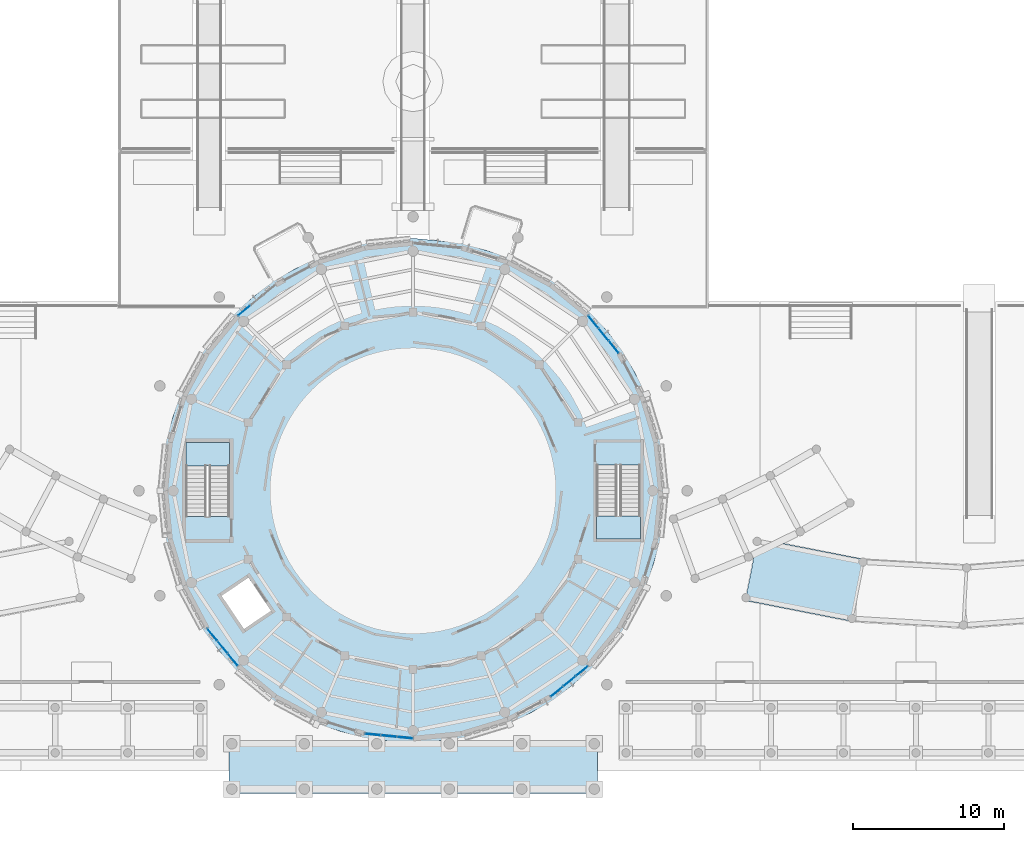
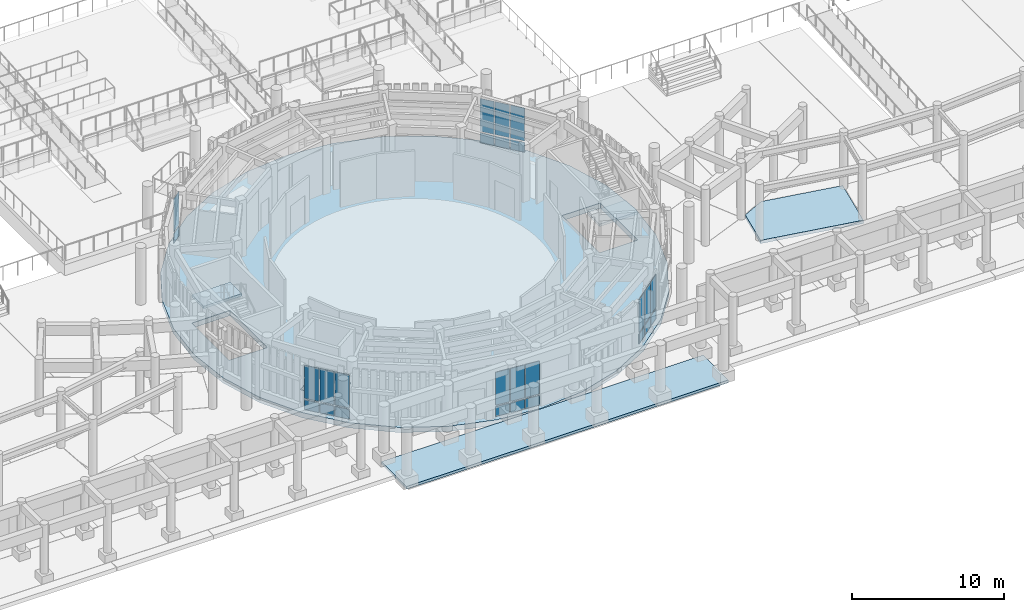
# One storey, part 35 of 94: 26 plates, 5 slabs, 7 elements without a shape of their own.
"""IFC4 building model written with IfcOpenShell, lengths in metres."""

from ifc_helpers import new_model, si_unit, direction, frame, origin, origin_2d, place, context, subcontext, project, spatial, polyline, rectangle, outline, extrude, material, layer, layer_set, type_object, element, aggregate, save


model = new_model("IFC4")

# Units and contexts
model_context = context("Model", 3, precision=1e-05, world=origin(), true_north=direction((0.0, 1.0)))
body_context = subcontext(model_context, "Body", "Model", "MODEL_VIEW")
ifc_project = project(units=[si_unit("LENGTHUNIT", "METRE"), si_unit("AREAUNIT", "SQUARE_METRE"), si_unit("VOLUMEUNIT", "CUBIC_METRE"), si_unit("PLANEANGLEUNIT", "RADIAN"), si_unit("MASSUNIT", "GRAM", prefix="KILO")], contexts=[model_context])

# Site, building, storey
site_placement = place(None, origin())
site = spatial("IfcSite", under=ifc_project, at=site_placement, CompositionType="ELEMENT")
building_placement = place(site_placement, origin())
building = spatial("IfcBuilding", under=site, at=building_placement, Name="Aldenvaro Health Centre", CompositionType="ELEMENT")
storey_placement = place(building_placement, origin())
storey = spatial("IfcBuildingStorey", under=building, at=storey_placement, Name="L00", CompositionType="ELEMENT", Elevation=0.0)

# Curtain wall, plates
ifc_material_1 = material(Name="Anodised Aluminium 6063-T6", Category="aluminium")
ifc_layer_1 = layer(ifc_material_1, 0.179931640625, Name="Anodised Aluminium 6063-T6", Category="aluminium")
ifc_layer_set_1 = layer_set([ifc_layer_1], Name="Anodised Aluminium 6063-T6")
curtain_wall_type = type_object("IfcCurtainWallType", Name="CW-ROT-01", PredefinedType="NOTDEFINED", material=ifc_layer_set_1)
curtain_wall_1_placement = place(storey_placement, origin())
curtain_wall_1 = element("IfcCurtainWall", 1, at=curtain_wall_1_placement, inside=storey, type_object=curtain_wall_type, Name="D1 L00 curtain wall bay 05", PredefinedType="NOTDEFINED")
ifc_material_2 = material(Name="Low-E Double Glazing IGU", Category="glass")
ifc_layer_2 = layer(ifc_material_2, 0.028076171875, Name="Low-E Double Glazing IGU", Category="glass")
ifc_layer_set_2 = layer_set([ifc_layer_2], Name="Low-E Double Glazing IGU")
plate_type_1 = type_object("IfcPlateType", Name="CWP-IGU-28", PredefinedType="CURTAIN_PANEL", material=ifc_layer_set_2)
plate_1_placement = place(storey_placement, frame((98.18310546875, 8.06298828125, 0.96044921875), z_axis=(0.0, 0.0, 1.0), x_axis=(-0.773194586776, -0.634168850528, 0.0)))
plate_1 = element("IfcPlate", 2, at=plate_1_placement, type_object=plate_type_1, Name="D1 L00 curtain wall bay 05 vision glazing 1", PredefinedType="CURTAIN_PANEL", context=body_context, shape_type="SweptSolid", body=[
    extrude(rectangle(XDim=1.001953125, YDim=0.028076171875, at=origin_2d()), origin(), (0.0, 0.0, 1.0), 2.638916015625),
])
plate_2_placement = place(storey_placement, frame((97.35400390625, 7.383056640625, 0.96044921875), z_axis=(0.0, 0.0, 1.0), x_axis=(-0.773194586776, -0.634168850528, 0.0)))
plate_2 = element("IfcPlate", 3, at=plate_2_placement, type_object=plate_type_1, Name="D1 L00 curtain wall bay 05 vision glazing 2", PredefinedType="CURTAIN_PANEL", context=body_context, shape_type="SweptSolid", body=[
    extrude(rectangle(XDim=1.001953125, YDim=0.028076171875, at=origin_2d()), origin(), (0.0, 0.0, 1.0), 2.638916015625),
])
plate_3_placement = place(storey_placement, frame((96.52490234375, 6.7041015625, 0.96044921875), z_axis=(0.0, 0.0, 1.0), x_axis=(-0.773194586776, -0.634168850528, 0.0)))
plate_3 = element("IfcPlate", 4, at=plate_3_placement, type_object=plate_type_1, Name="D1 L00 curtain wall bay 05 vision glazing 3", PredefinedType="CURTAIN_PANEL", context=body_context, shape_type="SweptSolid", body=[
    extrude(rectangle(XDim=1.001953125, YDim=0.028076171875, at=origin_2d()), origin(), (0.0, 0.0, 1.0), 2.638916015625),
])

curtain_wall_2_placement = place(storey_placement, origin())
curtain_wall_2 = element("IfcCurtainWall", 5, at=curtain_wall_2_placement, inside=storey, type_object=curtain_wall_type, Name="D1 L00 curtain wall bay 09", PredefinedType="NOTDEFINED")
plate_4_placement = place(storey_placement, frame((86.467041015625, 3.652099609375, 0.96044921875), z_axis=(0.0, 0.0, 1.0), x_axis=(-0.995186971968, 0.097994340783, 0.0)))
plate_4 = element("IfcPlate", 6, at=plate_4_placement, type_object=plate_type_1, Name="D1 L00 curtain wall bay 09 vision glazing 1", PredefinedType="CURTAIN_PANEL", context=body_context, shape_type="SweptSolid", body=[
    extrude(rectangle(XDim=1.0009765625, YDim=0.028076171875, at=origin_2d()), origin(), (0.0, 0.0, 1.0), 2.638916015625),
])
plate_5_placement = place(storey_placement, frame((85.39990234375, 3.758056640625, 0.96044921875), z_axis=(0.0, 0.0, 1.0), x_axis=(-0.995186971968, 0.097994340783, 0.0)))
plate_5 = element("IfcPlate", 7, at=plate_5_placement, type_object=plate_type_1, Name="D1 L00 curtain wall bay 09 vision glazing 2", PredefinedType="CURTAIN_PANEL", context=body_context, shape_type="SweptSolid", body=[
    extrude(rectangle(XDim=1.0009765625, YDim=0.028076171875, at=origin_2d()), origin(), (0.0, 0.0, 1.0), 2.638916015625),
])
plate_6_placement = place(storey_placement, frame((84.333984375, 3.862060546875, 0.96044921875), z_axis=(0.0, 0.0, 1.0), x_axis=(-0.995186971968, 0.097994340783, 0.0)))
plate_6 = element("IfcPlate", 8, at=plate_6_placement, type_object=plate_type_1, Name="D1 L00 curtain wall bay 09 vision glazing 3", PredefinedType="CURTAIN_PANEL", context=body_context, shape_type="SweptSolid", body=[
    extrude(rectangle(XDim=1.0009765625, YDim=0.028076171875, at=origin_2d()), origin(), (0.0, 0.0, 1.0), 2.638916015625),
])

curtain_wall_3_placement = place(storey_placement, origin())
curtain_wall_3 = element("IfcCurtainWall", 9, at=curtain_wall_3_placement, inside=storey, type_object=curtain_wall_type, Name="D1 L00 curtain wall bay 13", PredefinedType="NOTDEFINED")
plate_7_placement = place(storey_placement, frame((75.06298828125, 8.81689453125, 0.96044921875), z_axis=(0.0, 0.0, 1.0), x_axis=(-0.634168850528, 0.773194586776, 0.0)))
plate_7 = element("IfcPlate", 10, at=plate_7_placement, type_object=plate_type_1, Name="D1 L00 curtain wall bay 13 vision glazing 1", PredefinedType="CURTAIN_PANEL", context=body_context, shape_type="SweptSolid", body=[
    extrude(rectangle(XDim=1.001953125, YDim=0.028076171875, at=origin_2d()), origin(), (0.0, 0.0, 1.0), 2.638916015625),
])
plate_8_placement = place(storey_placement, frame((74.383056640625, 9.64599609375, 0.96044921875), z_axis=(0.0, 0.0, 1.0), x_axis=(-0.634168850528, 0.773194586776, 0.0)))
plate_8 = element("IfcPlate", 11, at=plate_8_placement, type_object=plate_type_1, Name="D1 L00 curtain wall bay 13 vision glazing 2", PredefinedType="CURTAIN_PANEL", context=body_context, shape_type="SweptSolid", body=[
    extrude(rectangle(XDim=1.001953125, YDim=0.028076171875, at=origin_2d()), origin(), (0.0, 0.0, 1.0), 2.638916015625),
])
plate_9_placement = place(storey_placement, frame((73.7041015625, 10.47509765625, 0.96044921875), z_axis=(0.0, 0.0, 1.0), x_axis=(-0.634168850528, 0.773194586776, 0.0)))
plate_9 = element("IfcPlate", 12, at=plate_9_placement, type_object=plate_type_1, Name="D1 L00 curtain wall bay 13 vision glazing 3", PredefinedType="CURTAIN_PANEL", context=body_context, shape_type="SweptSolid", body=[
    extrude(rectangle(XDim=1.001953125, YDim=0.028076171875, at=origin_2d()), origin(), (0.0, 0.0, 1.0), 2.638916015625),
])

# Curtain wall, plate
curtain_wall_4_placement = place(storey_placement, origin())
curtain_wall_4 = element("IfcCurtainWall", 13, at=curtain_wall_4_placement, inside=storey, type_object=curtain_wall_type, Name="D1 L00 curtain wall bay 21", PredefinedType="NOTDEFINED")
plate_10_placement = place(storey_placement, frame((75.81689453125, 31.93701171875, 0.96044921875), z_axis=(0.0, 0.0, 1.0), x_axis=(0.773194586776, 0.634168850528, 0.0)))
plate_10 = element("IfcPlate", 14, at=plate_10_placement, type_object=plate_type_1, Name="D1 L00 curtain wall bay 21 vision glazing 1", PredefinedType="CURTAIN_PANEL", context=body_context, shape_type="SweptSolid", body=[
    extrude(rectangle(XDim=1.001953125, YDim=0.028076171875, at=origin_2d()), origin(), (0.0, 0.0, 1.0), 2.638916015625),
])

# Curtain wall, plates
curtain_wall_5_placement = place(storey_placement, origin())
curtain_wall_5 = element("IfcCurtainWall", 15, at=curtain_wall_5_placement, inside=storey, type_object=curtain_wall_type, Name="D1 L00 curtain wall bay 29", PredefinedType="NOTDEFINED")
plate_11_placement = place(storey_placement, frame((98.93701171875, 31.18310546875, 0.96044921875), z_axis=(0.0, 0.0, 1.0), x_axis=(0.634168850528, -0.773194586776, 0.0)))
plate_11 = element("IfcPlate", 16, at=plate_11_placement, type_object=plate_type_1, Name="D1 L00 curtain wall bay 29 vision glazing 1", PredefinedType="CURTAIN_PANEL", context=body_context, shape_type="SweptSolid", body=[
    extrude(rectangle(XDim=1.001953125, YDim=0.028076171875, at=origin_2d()), origin(), (0.0, 0.0, 1.0), 2.638916015625),
])
plate_12_placement = place(storey_placement, frame((99.616943359375, 30.35400390625, 0.96044921875), z_axis=(0.0, 0.0, 1.0), x_axis=(0.634168850528, -0.773194586776, 0.0)))
plate_12 = element("IfcPlate", 17, at=plate_12_placement, type_object=plate_type_1, Name="D1 L00 curtain wall bay 29 vision glazing 2", PredefinedType="CURTAIN_PANEL", context=body_context, shape_type="SweptSolid", body=[
    extrude(rectangle(XDim=1.001953125, YDim=0.028076171875, at=origin_2d()), origin(), (0.0, 0.0, 1.0), 2.638916015625),
])
plate_13_placement = place(storey_placement, frame((100.2958984375, 29.52490234375, 0.96044921875), z_axis=(0.0, 0.0, 1.0), x_axis=(0.634168850528, -0.773194586776, 0.0)))
plate_13 = element("IfcPlate", 18, at=plate_13_placement, type_object=plate_type_1, Name="D1 L00 curtain wall bay 29 vision glazing 3", PredefinedType="CURTAIN_PANEL", context=body_context, shape_type="SweptSolid", body=[
    extrude(rectangle(XDim=1.001953125, YDim=0.028076171875, at=origin_2d()), origin(), (0.0, 0.0, 1.0), 2.638916015625),
])

# Plate
ifc_material_3 = material(Name="Insulated Aluminium Spandrel", Category="aluminium")
ifc_layer_3 = layer(ifc_material_3, 0.035888671875, Name="Insulated Aluminium Spandrel", Category="aluminium")
ifc_layer_set_3 = layer_set([ifc_layer_3], Name="Insulated Aluminium Spandrel")
plate_type_2 = type_object("IfcPlateType", Name="CWP-SPN-36", PredefinedType="CURTAIN_PANEL", material=ifc_layer_set_3)
plate_14_placement = place(storey_placement, frame((98.18310546875, 8.06298828125, 0.06005859375), z_axis=(0.0, 0.0, 1.0), x_axis=(-0.773194586776, -0.634168850528, 0.0)))
plate_14 = element("IfcPlate", 19, at=plate_14_placement, type_object=plate_type_2, Name="D1 L00 curtain wall bay 05 spandrel panel 1", PredefinedType="CURTAIN_PANEL", context=body_context, shape_type="SweptSolid", body=[
    extrude(rectangle(XDim=1.001953125, YDim=0.035888671875, at=origin_2d()), origin(), (0.0, 0.0, 1.0), 0.780029296875),
])

plate_15_placement = place(storey_placement, frame((97.35400390625, 7.383056640625, 0.06005859375), z_axis=(0.0, 0.0, 1.0), x_axis=(-0.773194586776, -0.634168850528, 0.0)))
plate_15 = element("IfcPlate", 20, at=plate_15_placement, type_object=plate_type_2, Name="D1 L00 curtain wall bay 05 spandrel panel 2", PredefinedType="CURTAIN_PANEL", context=body_context, shape_type="SweptSolid", body=[
    extrude(rectangle(XDim=1.001953125, YDim=0.035888671875, at=origin_2d()), origin(), (0.0, 0.0, 1.0), 0.780029296875),
])

plate_16_placement = place(storey_placement, frame((96.52490234375, 6.7041015625, 0.06005859375), z_axis=(0.0, 0.0, 1.0), x_axis=(-0.773194586776, -0.634168850528, 0.0)))
plate_16 = element("IfcPlate", 21, at=plate_16_placement, type_object=plate_type_2, Name="D1 L00 curtain wall bay 05 spandrel panel 3", PredefinedType="CURTAIN_PANEL", context=body_context, shape_type="SweptSolid", body=[
    extrude(rectangle(XDim=1.001953125, YDim=0.035888671875, at=origin_2d()), origin(), (0.0, 0.0, 1.0), 0.780029296875),
])

aggregate(curtain_wall_1, [plate_14, plate_1, plate_15, plate_2, plate_16, plate_3])

plate_17_placement = place(storey_placement, frame((86.467041015625, 3.652099609375, 0.06005859375), z_axis=(0.0, 0.0, 1.0), x_axis=(-0.995186971968, 0.097994340783, 0.0)))
plate_17 = element("IfcPlate", 22, at=plate_17_placement, type_object=plate_type_2, Name="D1 L00 curtain wall bay 09 spandrel panel 1", PredefinedType="CURTAIN_PANEL", context=body_context, shape_type="SweptSolid", body=[
    extrude(rectangle(XDim=1.0009765625, YDim=0.035888671875, at=origin_2d()), origin(), (0.0, 0.0, 1.0), 0.780029296875),
])

plate_18_placement = place(storey_placement, frame((85.39990234375, 3.758056640625, 0.06005859375), z_axis=(0.0, 0.0, 1.0), x_axis=(-0.995186971968, 0.097994340783, 0.0)))
plate_18 = element("IfcPlate", 23, at=plate_18_placement, type_object=plate_type_2, Name="D1 L00 curtain wall bay 09 spandrel panel 2", PredefinedType="CURTAIN_PANEL", context=body_context, shape_type="SweptSolid", body=[
    extrude(rectangle(XDim=1.0009765625, YDim=0.035888671875, at=origin_2d()), origin(), (0.0, 0.0, 1.0), 0.780029296875),
])

plate_19_placement = place(storey_placement, frame((84.333984375, 3.862060546875, 0.06005859375), z_axis=(0.0, 0.0, 1.0), x_axis=(-0.995186971968, 0.097994340783, 0.0)))
plate_19 = element("IfcPlate", 24, at=plate_19_placement, type_object=plate_type_2, Name="D1 L00 curtain wall bay 09 spandrel panel 3", PredefinedType="CURTAIN_PANEL", context=body_context, shape_type="SweptSolid", body=[
    extrude(rectangle(XDim=1.0009765625, YDim=0.035888671875, at=origin_2d()), origin(), (0.0, 0.0, 1.0), 0.780029296875),
])

aggregate(curtain_wall_2, [plate_17, plate_4, plate_18, plate_5, plate_19, plate_6])

plate_20_placement = place(storey_placement, frame((75.06298828125, 8.81689453125, 0.06005859375), z_axis=(0.0, 0.0, 1.0), x_axis=(-0.634168850528, 0.773194586776, 0.0)))
plate_20 = element("IfcPlate", 25, at=plate_20_placement, type_object=plate_type_2, Name="D1 L00 curtain wall bay 13 spandrel panel 1", PredefinedType="CURTAIN_PANEL", context=body_context, shape_type="SweptSolid", body=[
    extrude(rectangle(XDim=1.001953125, YDim=0.035888671875, at=origin_2d()), origin(), (0.0, 0.0, 1.0), 0.780029296875),
])

plate_21_placement = place(storey_placement, frame((74.383056640625, 9.64599609375, 0.06005859375), z_axis=(0.0, 0.0, 1.0), x_axis=(-0.634168850528, 0.773194586776, 0.0)))
plate_21 = element("IfcPlate", 26, at=plate_21_placement, type_object=plate_type_2, Name="D1 L00 curtain wall bay 13 spandrel panel 2", PredefinedType="CURTAIN_PANEL", context=body_context, shape_type="SweptSolid", body=[
    extrude(rectangle(XDim=1.001953125, YDim=0.035888671875, at=origin_2d()), origin(), (0.0, 0.0, 1.0), 0.780029296875),
])

plate_22_placement = place(storey_placement, frame((73.7041015625, 10.47509765625, 0.06005859375), z_axis=(0.0, 0.0, 1.0), x_axis=(-0.634168850528, 0.773194586776, 0.0)))
plate_22 = element("IfcPlate", 27, at=plate_22_placement, type_object=plate_type_2, Name="D1 L00 curtain wall bay 13 spandrel panel 3", PredefinedType="CURTAIN_PANEL", context=body_context, shape_type="SweptSolid", body=[
    extrude(rectangle(XDim=1.001953125, YDim=0.035888671875, at=origin_2d()), origin(), (0.0, 0.0, 1.0), 0.780029296875),
])

aggregate(curtain_wall_3, [plate_20, plate_7, plate_21, plate_8, plate_22, plate_9])

plate_23_placement = place(storey_placement, frame((75.81689453125, 31.93701171875, 0.06005859375), z_axis=(0.0, 0.0, 1.0), x_axis=(0.773194586776, 0.634168850528, 0.0)))
plate_23 = element("IfcPlate", 28, at=plate_23_placement, type_object=plate_type_2, Name="D1 L00 curtain wall bay 21 spandrel panel 1", PredefinedType="CURTAIN_PANEL", context=body_context, shape_type="SweptSolid", body=[
    extrude(rectangle(XDim=1.001953125, YDim=0.035888671875, at=origin_2d()), origin(), (0.0, 0.0, 1.0), 0.780029296875),
])

aggregate(curtain_wall_4, [plate_23, plate_10])

plate_24_placement = place(storey_placement, frame((98.93701171875, 31.18310546875, 0.06005859375), z_axis=(0.0, 0.0, 1.0), x_axis=(0.634168850528, -0.773194586776, 0.0)))
plate_24 = element("IfcPlate", 29, at=plate_24_placement, type_object=plate_type_2, Name="D1 L00 curtain wall bay 29 spandrel panel 1", PredefinedType="CURTAIN_PANEL", context=body_context, shape_type="SweptSolid", body=[
    extrude(rectangle(XDim=1.001953125, YDim=0.035888671875, at=origin_2d()), origin(), (0.0, 0.0, 1.0), 0.780029296875),
])

plate_25_placement = place(storey_placement, frame((99.616943359375, 30.35400390625, 0.06005859375), z_axis=(0.0, 0.0, 1.0), x_axis=(0.634168850528, -0.773194586776, 0.0)))
plate_25 = element("IfcPlate", 30, at=plate_25_placement, type_object=plate_type_2, Name="D1 L00 curtain wall bay 29 spandrel panel 2", PredefinedType="CURTAIN_PANEL", context=body_context, shape_type="SweptSolid", body=[
    extrude(rectangle(XDim=1.001953125, YDim=0.035888671875, at=origin_2d()), origin(), (0.0, 0.0, 1.0), 0.780029296875),
])

plate_26_placement = place(storey_placement, frame((100.2958984375, 29.52490234375, 0.06005859375), z_axis=(0.0, 0.0, 1.0), x_axis=(0.634168850528, -0.773194586776, 0.0)))
plate_26 = element("IfcPlate", 31, at=plate_26_placement, type_object=plate_type_2, Name="D1 L00 curtain wall bay 29 spandrel panel 3", PredefinedType="CURTAIN_PANEL", context=body_context, shape_type="SweptSolid", body=[
    extrude(rectangle(XDim=1.001953125, YDim=0.035888671875, at=origin_2d()), origin(), (0.0, 0.0, 1.0), 0.780029296875),
])

aggregate(curtain_wall_5, [plate_24, plate_11, plate_25, plate_12, plate_26, plate_13])

# Slabs
ifc_material_4 = material(Name="Concrete f'c 40 MPa", Category="concrete")
ifc_layer_4 = layer(ifc_material_4, 0.260009765625, Name="Concrete f'c 40 MPa", Category="concrete")
ifc_layer_set_4 = layer_set([ifc_layer_4], Name="Concrete f'c 40 MPa")
slab_type_1 = type_object("IfcSlabType", Name="SLB-COL-260", PredefinedType="FLOOR", material=ifc_layer_set_4)
slab_1_placement = place(storey_placement, frame((0.0, 0.0, -0.260009765625)))
element("IfcSlab", 32, at=slab_1_placement, inside=storey, type_object=slab_type_1, Name="South East Curved Peristyle Walkway Arc 1 L00 deck slab", PredefinedType="FLOOR", context=body_context, shape_type="SweptSolid", body=[
    extrude(outline(polyline([(116.823974609375, 15.47509765625), (116.01611328125, 11.35302734375), (109.008056640625, 12.72802734375), (109.60205078125, 15.756103515625), (111.260986328125, 16.56591796875), (116.823974609375, 15.47509765625)])), origin(), (0.0, 0.0, 1.0), 0.260009765625),
])
ifc_layer_5 = layer(ifc_material_4, 0.215087890625, Name="Concrete f'c 40 MPa", Category="concrete")
ifc_layer_set_5 = layer_set([ifc_layer_5], Name="Concrete f'c 40 MPa")
slab_type_2 = type_object("IfcSlabType", Name="SLB-GDN-215", PredefinedType="FLOOR", material=ifc_layer_set_5)
slab_2_placement = place(storey_placement, frame((0.0, 0.0, -0.215087890625)))
element("IfcSlab", 33, at=slab_2_placement, inside=storey, type_object=slab_type_2, Name="South Portico Entrance Threshold Slab", PredefinedType="FLOOR", context=body_context, shape_type="SweptSolid", body=[
    extrude(outline(polyline([(74.800048828125, -0.050048828125), (99.199951171875, -0.050048828125), (99.199951171875, 3.25), (74.800048828125, 3.25), (74.800048828125, -0.050048828125)])), origin(), (0.0, 0.0, 1.0), 0.215087890625),
])

# Stair, slab
stair_type = type_object("IfcStairType", Name="STR-DOG-455", PredefinedType="HALF_TURN_STAIR", material=ifc_material_4)
stair_1_placement = place(storey_placement, origin())
stair_1 = element("IfcStair", 34, at=stair_1_placement, inside=storey, type_object=stair_type, Name="L00 Exit Stair ST-01", PredefinedType="HALF_TURN_STAIR")
ifc_layer_6 = layer(ifc_material_4, 0.199951171875, Name="Concrete f'c 40 MPa", Category="concrete")
ifc_layer_set_6 = layer_set([ifc_layer_6], Name="Concrete f'c 40 MPa")
slab_type_3 = type_object("IfcSlabType", Name="SLB-LND-200", PredefinedType="LANDING", material=ifc_layer_set_6)
slab_3_placement = place(storey_placement, frame((0.0, 0.0, 2.074951171875)))
slab_3 = element("IfcSlab", 35, at=slab_3_placement, type_object=slab_type_3, Name="ST-01 landing 1", PredefinedType="LANDING", context=body_context, shape_type="SweptSolid", body=[
    extrude(outline(polyline([(74.85009765625, 21.659912109375), (74.85009765625, 23.199951171875), (71.949951171875, 23.199951171875), (71.949951171875, 21.659912109375), (74.85009765625, 21.659912109375)])), origin(), (0.0, 0.0, 1.0), 0.199951171875),
])
aggregate(stair_1, [slab_3])

stair_2_placement = place(storey_placement, origin())
stair_2 = element("IfcStair", 36, at=stair_2_placement, inside=storey, type_object=stair_type, Name="L00 Exit Stair ST-02", PredefinedType="HALF_TURN_STAIR")
slab_4_placement = place(storey_placement, frame((0.0, 0.0, 2.074951171875)))
slab_4 = element("IfcSlab", 37, at=slab_4_placement, type_object=slab_type_3, Name="ST-02 landing 1", PredefinedType="LANDING", context=body_context, shape_type="SweptSolid", body=[
    extrude(outline(polyline([(99.14990234375, 18.340087890625), (99.14990234375, 16.800048828125), (102.050048828125, 16.800048828125), (102.050048828125, 18.340087890625), (99.14990234375, 18.340087890625)])), origin(), (0.0, 0.0, 1.0), 0.199951171875),
])
aggregate(stair_2, [slab_4])

# Slab
ifc_layer_7 = layer(ifc_material_4, 0.4150390625, Name="Concrete f'c 40 MPa", Category="concrete")
ifc_layer_set_7 = layer_set([ifc_layer_7], Name="Concrete f'c 40 MPa")
slab_type_4 = type_object("IfcSlabType", Name="SLB-POD-320", PredefinedType="FLOOR", material=ifc_layer_set_7)
slab_5_placement = place(storey_placement, frame((0.0, 0.0, -0.4150390625)))
element("IfcSlab", 38, at=slab_5_placement, inside=storey, type_object=slab_type_4, Name="D1 L00 floor slab", PredefinedType="FLOOR", context=body_context, shape_type="SweptSolid", body=[
    extrude(outline(polyline([(103.719970703125, 20.0), (103.39892578125, 23.261962890625), (102.447021484375, 26.39794921875), (100.902099609375, 29.2890625), (98.822998046875, 31.822998046875), (96.2890625, 33.902099609375), (93.39794921875, 35.447021484375), (90.261962890625, 36.39892578125), (87.0, 36.719970703125), (83.738037109375, 36.39892578125), (80.60205078125, 35.447021484375), (77.7109375, 33.902099609375), (75.177001953125, 31.822998046875), (73.097900390625, 29.2890625), (71.552978515625, 26.39794921875), (70.60107421875, 23.261962890625), (70.280029296875, 20.0), (70.60107421875, 16.738037109375), (71.552978515625, 13.60205078125), (73.097900390625, 10.7109375), (75.177001953125, 8.177001953125), (77.7109375, 6.097900390625), (80.60205078125, 4.552978515625), (83.738037109375, 3.60107421875), (87.0, 3.280029296875), (90.261962890625, 3.60107421875), (93.39794921875, 4.552978515625), (96.2890625, 6.097900390625), (98.822998046875, 8.177001953125), (100.902099609375, 10.7109375), (102.447021484375, 13.60205078125), (103.39892578125, 16.738037109375), (103.719970703125, 20.0)]), holes=[polyline([(74.85009765625, 18.300048828125), (74.85009765625, 23.199951171875), (71.949951171875, 23.199951171875), (71.949951171875, 18.300048828125), (74.85009765625, 18.300048828125)]), polyline([(99.14990234375, 21.699951171875), (99.14990234375, 16.800048828125), (102.050048828125, 16.800048828125), (102.050048828125, 21.699951171875), (99.14990234375, 21.699951171875)]), polyline([(77.5849609375, 12.052001953125), (76.10302734375, 14.2490234375), (74.321044921875, 13.0458984375), (75.802978515625, 10.84912109375), (77.5849609375, 12.052001953125)])]), origin(), (0.0, 0.0, 1.0), 0.4150390625),
])

save(model, "model.ifc")
